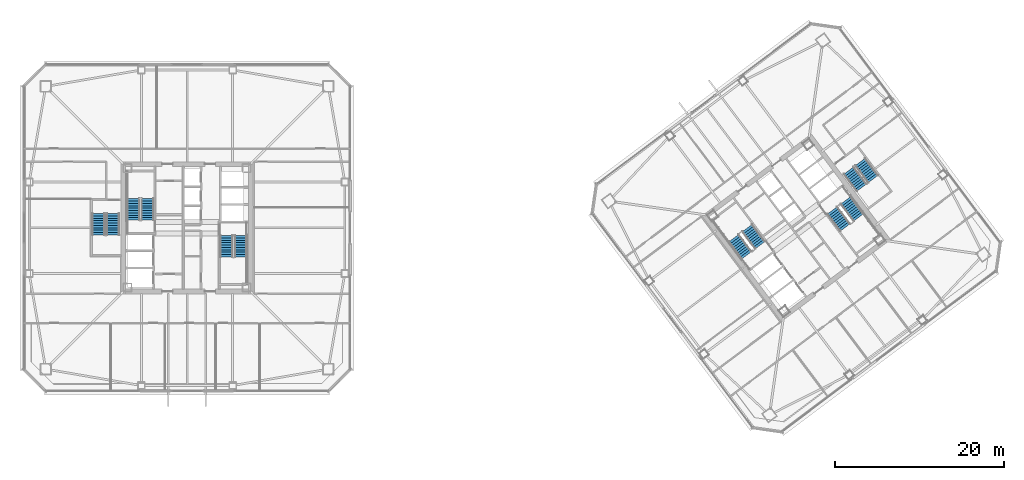
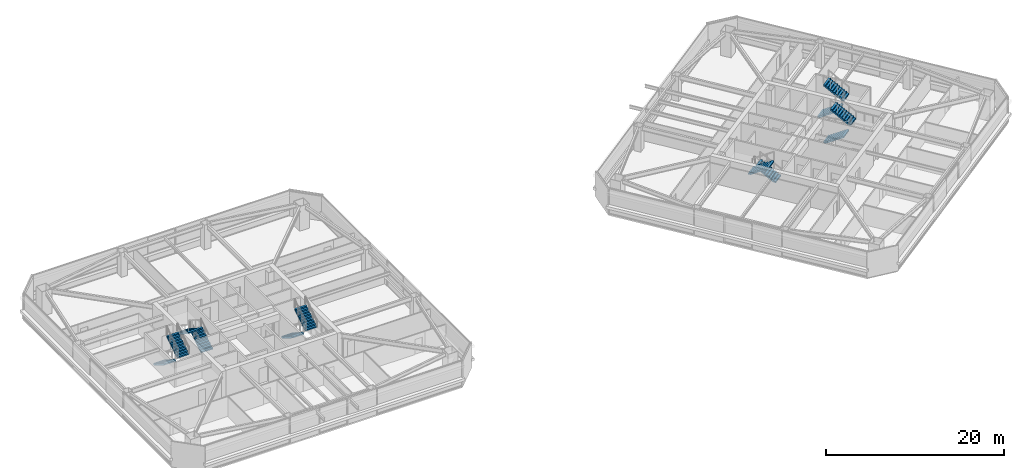
# One storey, part 36 of 42: 12 stair flights, 6 elements without a shape of their own.
"""IFC4 building model written with IfcOpenShell, lengths in metres."""

from ifc_helpers import new_model, si_unit, direction, frame, origin, place, context, subcontext, project, spatial, polyline, outline, extrude, material, type_object, element, aggregate, save


model = new_model("IFC4")

# Units and contexts
model_context = context("Model", 3, precision=1e-05, world=origin(), true_north=direction((0.0, 1.0)))
body_context = subcontext(model_context, "Body", "Model", "MODEL_VIEW")
ifc_project = project(units=[si_unit("LENGTHUNIT", "METRE"), si_unit("AREAUNIT", "SQUARE_METRE"), si_unit("VOLUMEUNIT", "CUBIC_METRE"), si_unit("PLANEANGLEUNIT", "RADIAN"), si_unit("MASSUNIT", "GRAM", prefix="KILO")], contexts=[model_context])

# Site, building, storey
site_placement = place(None, origin())
site = spatial("IfcSite", under=ifc_project, at=site_placement, CompositionType="ELEMENT")
building_placement = place(site_placement, origin())
building = spatial("IfcBuilding", under=site, at=building_placement, Name="Tashvorn Skyway Center", CompositionType="ELEMENT")
storey_placement = place(building_placement, frame((0.0, 0.0, 121.5)))
storey = spatial("IfcBuildingStorey", under=building, at=storey_placement, Name="L32", CompositionType="ELEMENT", Elevation=121.5)

# Stair, stair flights
ifc_material = material(Name="Concrete C40/50", Category="concrete")
stair_type = type_object("IfcStairType", Name="STAIR-CORE-1500", PredefinedType="HALF_TURN_STAIR", material=ifc_material)
stair_1_placement = place(storey_placement, origin())
stair_1 = element("IfcStair", 1, at=stair_1_placement, inside=storey, type_object=stair_type, Name="L32 Tower 1 Exit Stair 1", PredefinedType="HALF_TURN_STAIR")
stair_flight_type = type_object("IfcStairFlightType", Name="SFLIGHT-1500", PredefinedType="STRAIGHT", material=ifc_material)
stair_flight_1_placement = place(storey_placement, frame((37.35009765625, 32.919921875, 0.0), z_axis=(0.0, 0.0, 1.0), x_axis=(0.0, 1.0, 0.0)))
stair_flight_1 = element("IfcStairFlight", 2, at=stair_flight_1_placement, type_object=stair_flight_type, Name="ST-T1-1 flight 1", NumberOfRisers=10, NumberOfTreads=9, PredefinedType="STRAIGHT", RiserHeight=0.1775, TreadLength=0.28, context=body_context, shape_type="SweptSolid", body=[
    extrude(outline(polyline([(0.0, 0.0), (0.0, 0.177490234375), (0.280029296875, 0.177490234375), (0.280029296875, 0.35498046875), (0.56005859375, 0.35498046875), (0.56005859375, 0.532470703125), (0.840087890625, 0.532470703125), (0.840087890625, 0.7099609375), (1.1201171875, 0.7099609375), (1.1201171875, 0.887451171875), (1.39990234375, 0.887451171875), (1.39990234375, 1.06494140625), (1.679931640625, 1.06494140625), (1.679931640625, 1.242431640625), (1.9599609375, 1.242431640625), (1.9599609375, 1.419921875), (2.239990234375, 1.419921875), (2.239990234375, 1.597412109375), (2.52001953125, 1.597412109375), (2.52001953125, 1.77490234375), (2.52001953125, 1.419921875), (0.280029296875, 0.0), (0.0, 0.0)])), frame((0.0, 0.75, 0.0), z_axis=(0.0, -1.0, 0.0), x_axis=(1.0, 0.0, 0.0)), (0.0, 0.0, 1.0), 1.5),
])
stair_flight_2_placement = place(storey_placement, frame((35.64990234375, 35.43994140625, 1.77490234375), z_axis=(0.0, 0.0, 1.0), x_axis=(0.0, -1.0, 0.0)))
stair_flight_2 = element("IfcStairFlight", 3, at=stair_flight_2_placement, type_object=stair_flight_type, Name="ST-T1-1 flight 2", NumberOfRisers=10, NumberOfTreads=9, PredefinedType="STRAIGHT", RiserHeight=0.1775, TreadLength=0.28, context=body_context, shape_type="SweptSolid", body=[
    extrude(outline(polyline([(0.0, 0.0), (0.0, 0.177490234375), (0.280029296875, 0.177490234375), (0.280029296875, 0.35498046875), (0.56005859375, 0.35498046875), (0.56005859375, 0.532470703125), (0.840087890625, 0.532470703125), (0.840087890625, 0.7099609375), (1.1201171875, 0.7099609375), (1.1201171875, 0.887451171875), (1.39990234375, 0.887451171875), (1.39990234375, 1.06494140625), (1.679931640625, 1.06494140625), (1.679931640625, 1.242431640625), (1.9599609375, 1.242431640625), (1.9599609375, 1.419921875), (2.239990234375, 1.419921875), (2.239990234375, 1.597412109375), (2.52001953125, 1.597412109375), (2.52001953125, 1.77490234375), (2.52001953125, 1.419921875), (0.280029296875, 0.0), (0.0, 0.0)])), frame((0.0, 0.75, 0.0), z_axis=(0.0, -1.0, 0.0), x_axis=(1.0, 0.0, 0.0)), (0.0, 0.0, 1.0), 1.5),
])
aggregate(stair_1, [stair_flight_1, stair_flight_2])

stair_2_placement = place(storey_placement, origin())
stair_2 = element("IfcStair", 4, at=stair_2_placement, inside=storey, type_object=stair_type, Name="L32 Tower 1 Exit Stair 2", PredefinedType="HALF_TURN_STAIR")
stair_flight_3_placement = place(storey_placement, frame((46.64990234375, 31.080078125, 0.0), z_axis=(0.0, 0.0, 1.0), x_axis=(0.0, -1.0, 0.0)))
stair_flight_3 = element("IfcStairFlight", 5, at=stair_flight_3_placement, type_object=stair_flight_type, Name="ST-T1-2 flight 1", NumberOfRisers=10, NumberOfTreads=9, PredefinedType="STRAIGHT", RiserHeight=0.1775, TreadLength=0.28, context=body_context, shape_type="SweptSolid", body=[
    extrude(outline(polyline([(0.0, 0.0), (0.0, 0.177490234375), (0.280029296875, 0.177490234375), (0.280029296875, 0.35498046875), (0.56005859375, 0.35498046875), (0.56005859375, 0.532470703125), (0.840087890625, 0.532470703125), (0.840087890625, 0.7099609375), (1.1201171875, 0.7099609375), (1.1201171875, 0.887451171875), (1.39990234375, 0.887451171875), (1.39990234375, 1.06494140625), (1.679931640625, 1.06494140625), (1.679931640625, 1.242431640625), (1.9599609375, 1.242431640625), (1.9599609375, 1.419921875), (2.239990234375, 1.419921875), (2.239990234375, 1.597412109375), (2.52001953125, 1.597412109375), (2.52001953125, 1.77490234375), (2.52001953125, 1.419921875), (0.280029296875, 0.0), (0.0, 0.0)])), frame((0.0, 0.75, 0.0), z_axis=(0.0, -1.0, 0.0), x_axis=(1.0, 0.0, 0.0)), (0.0, 0.0, 1.0), 1.5),
])
stair_flight_4_placement = place(storey_placement, frame((48.35009765625, 28.56005859375, 1.77490234375), z_axis=(0.0, 0.0, 1.0), x_axis=(0.0, 1.0, 0.0)))
stair_flight_4 = element("IfcStairFlight", 6, at=stair_flight_4_placement, type_object=stair_flight_type, Name="ST-T1-2 flight 2", NumberOfRisers=10, NumberOfTreads=9, PredefinedType="STRAIGHT", RiserHeight=0.1775, TreadLength=0.28, context=body_context, shape_type="SweptSolid", body=[
    extrude(outline(polyline([(0.0, 0.0), (0.0, 0.177490234375), (0.280029296875, 0.177490234375), (0.280029296875, 0.35498046875), (0.56005859375, 0.35498046875), (0.56005859375, 0.532470703125), (0.840087890625, 0.532470703125), (0.840087890625, 0.7099609375), (1.1201171875, 0.7099609375), (1.1201171875, 0.887451171875), (1.39990234375, 0.887451171875), (1.39990234375, 1.06494140625), (1.679931640625, 1.06494140625), (1.679931640625, 1.242431640625), (1.9599609375, 1.242431640625), (1.9599609375, 1.419921875), (2.239990234375, 1.419921875), (2.239990234375, 1.597412109375), (2.52001953125, 1.597412109375), (2.52001953125, 1.77490234375), (2.52001953125, 1.419921875), (0.280029296875, 0.0), (0.0, 0.0)])), frame((0.0, 0.75, 0.0), z_axis=(0.0, -1.0, 0.0), x_axis=(1.0, 0.0, 0.0)), (0.0, 0.0, 1.0), 1.5),
])
aggregate(stair_2, [stair_flight_3, stair_flight_4])

stair_3_placement = place(storey_placement, origin())
stair_3 = element("IfcStair", 7, at=stair_3_placement, inside=storey, type_object=stair_type, Name="L32 Tower 2 Exit Stair 1", PredefinedType="HALF_TURN_STAIR")
stair_flight_5_placement = place(storey_placement, frame((109.72802734375, 29.946044921875, 0.0), z_axis=(0.0, 0.0, 1.0), x_axis=(-0.600000004945, 0.799999996291, 0.0)))
stair_flight_5 = element("IfcStairFlight", 8, at=stair_flight_5_placement, type_object=stair_flight_type, Name="ST-T2-1 flight 1", NumberOfRisers=10, NumberOfTreads=9, PredefinedType="STRAIGHT", RiserHeight=0.1775, TreadLength=0.28, context=body_context, shape_type="SweptSolid", body=[
    extrude(outline(polyline([(0.0, 0.0), (0.0, 0.177490234375), (0.280029296875, 0.177490234375), (0.280029296875, 0.35498046875), (0.56005859375, 0.35498046875), (0.56005859375, 0.532470703125), (0.840087890625, 0.532470703125), (0.840087890625, 0.7099609375), (1.1201171875, 0.7099609375), (1.1201171875, 0.887451171875), (1.39990234375, 0.887451171875), (1.39990234375, 1.06494140625), (1.679931640625, 1.06494140625), (1.679931640625, 1.242431640625), (1.9599609375, 1.242431640625), (1.9599609375, 1.419921875), (2.239990234375, 1.419921875), (2.239990234375, 1.597412109375), (2.52001953125, 1.597412109375), (2.52001953125, 1.77490234375), (2.52001953125, 1.419921875), (0.280029296875, 0.0), (0.0, 0.0)])), frame((0.0, 0.75, 0.0), z_axis=(0.0, -1.0, 0.0), x_axis=(1.0, 0.0, 0.0)), (0.0, 0.0, 1.0), 1.5),
])
stair_flight_6_placement = place(storey_placement, frame((106.632080078125, 30.77392578125, 1.77490234375), z_axis=(0.0, 0.0, 1.0), x_axis=(0.600000004945, -0.799999996291, 0.0)))
stair_flight_6 = element("IfcStairFlight", 9, at=stair_flight_6_placement, type_object=stair_flight_type, Name="ST-T2-1 flight 2", NumberOfRisers=10, NumberOfTreads=9, PredefinedType="STRAIGHT", RiserHeight=0.1775, TreadLength=0.28, context=body_context, shape_type="SweptSolid", body=[
    extrude(outline(polyline([(0.0, 0.0), (0.0, 0.177490234375), (0.280029296875, 0.177490234375), (0.280029296875, 0.35498046875), (0.56005859375, 0.35498046875), (0.56005859375, 0.532470703125), (0.840087890625, 0.532470703125), (0.840087890625, 0.7099609375), (1.1201171875, 0.7099609375), (1.1201171875, 0.887451171875), (1.39990234375, 0.887451171875), (1.39990234375, 1.06494140625), (1.679931640625, 1.06494140625), (1.679931640625, 1.242431640625), (1.9599609375, 1.242431640625), (1.9599609375, 1.419921875), (2.239990234375, 1.419921875), (2.239990234375, 1.597412109375), (2.52001953125, 1.597412109375), (2.52001953125, 1.77490234375), (2.52001953125, 1.419921875), (0.280029296875, 0.0), (0.0, 0.0)])), frame((0.0, 0.75, 0.0), z_axis=(0.0, -1.0, 0.0), x_axis=(1.0, 0.0, 0.0)), (0.0, 0.0, 1.0), 1.5),
])
aggregate(stair_3, [stair_flight_5, stair_flight_6])

stair_4_placement = place(storey_placement, origin())
stair_4 = element("IfcStair", 10, at=stair_4_placement, inside=storey, type_object=stair_type, Name="L32 Tower 2 Exit Stair 2", PredefinedType="HALF_TURN_STAIR")
stair_flight_7_placement = place(storey_placement, frame((118.27197265625, 34.053955078125, 0.0), z_axis=(0.0, 0.0, 1.0), x_axis=(0.600000004945, -0.799999996291, 0.0)))
stair_flight_7 = element("IfcStairFlight", 11, at=stair_flight_7_placement, type_object=stair_flight_type, Name="ST-T2-2 flight 1", NumberOfRisers=10, NumberOfTreads=9, PredefinedType="STRAIGHT", RiserHeight=0.1775, TreadLength=0.28, context=body_context, shape_type="SweptSolid", body=[
    extrude(outline(polyline([(0.0, 0.0), (0.0, 0.177490234375), (0.280029296875, 0.177490234375), (0.280029296875, 0.35498046875), (0.56005859375, 0.35498046875), (0.56005859375, 0.532470703125), (0.840087890625, 0.532470703125), (0.840087890625, 0.7099609375), (1.1201171875, 0.7099609375), (1.1201171875, 0.887451171875), (1.39990234375, 0.887451171875), (1.39990234375, 1.06494140625), (1.679931640625, 1.06494140625), (1.679931640625, 1.242431640625), (1.9599609375, 1.242431640625), (1.9599609375, 1.419921875), (2.239990234375, 1.419921875), (2.239990234375, 1.597412109375), (2.52001953125, 1.597412109375), (2.52001953125, 1.77490234375), (2.52001953125, 1.419921875), (0.280029296875, 0.0), (0.0, 0.0)])), frame((0.0, 0.75, 0.0), z_axis=(0.0, -1.0, 0.0), x_axis=(1.0, 0.0, 0.0)), (0.0, 0.0, 1.0), 1.5),
])
stair_flight_8_placement = place(storey_placement, frame((121.367919921875, 33.22607421875, 1.77490234375), z_axis=(0.0, 0.0, 1.0), x_axis=(-0.600000004945, 0.799999996291, 0.0)))
stair_flight_8 = element("IfcStairFlight", 12, at=stair_flight_8_placement, type_object=stair_flight_type, Name="ST-T2-2 flight 2", NumberOfRisers=10, NumberOfTreads=9, PredefinedType="STRAIGHT", RiserHeight=0.1775, TreadLength=0.28, context=body_context, shape_type="SweptSolid", body=[
    extrude(outline(polyline([(0.0, 0.0), (0.0, 0.177490234375), (0.280029296875, 0.177490234375), (0.280029296875, 0.35498046875), (0.56005859375, 0.35498046875), (0.56005859375, 0.532470703125), (0.840087890625, 0.532470703125), (0.840087890625, 0.7099609375), (1.1201171875, 0.7099609375), (1.1201171875, 0.887451171875), (1.39990234375, 0.887451171875), (1.39990234375, 1.06494140625), (1.679931640625, 1.06494140625), (1.679931640625, 1.242431640625), (1.9599609375, 1.242431640625), (1.9599609375, 1.419921875), (2.239990234375, 1.419921875), (2.239990234375, 1.597412109375), (2.52001953125, 1.597412109375), (2.52001953125, 1.77490234375), (2.52001953125, 1.419921875), (0.280029296875, 0.0), (0.0, 0.0)])), frame((0.0, 0.75, 0.0), z_axis=(0.0, -1.0, 0.0), x_axis=(1.0, 0.0, 0.0)), (0.0, 0.0, 1.0), 1.5),
])
aggregate(stair_4, [stair_flight_7, stair_flight_8])

stair_5_placement = place(storey_placement, origin())
stair_5 = element("IfcStair", 13, at=stair_5_placement, inside=storey, type_object=stair_type, Name="L32 Tower 1 Exit Stair 3", PredefinedType="HALF_TURN_STAIR")
stair_flight_9_placement = place(storey_placement, frame((31.550048828125, 33.679931640625, 0.0), z_axis=(0.0, 0.0, 1.0), x_axis=(0.0, -1.0, 0.0)))
stair_flight_9 = element("IfcStairFlight", 14, at=stair_flight_9_placement, type_object=stair_flight_type, Name="ST-T1-3 flight 1", NumberOfRisers=10, NumberOfTreads=9, PredefinedType="STRAIGHT", RiserHeight=0.1775, TreadLength=0.28, context=body_context, shape_type="SweptSolid", body=[
    extrude(outline(polyline([(0.0, 0.0), (0.0, 0.177490234375), (0.280029296875, 0.177490234375), (0.280029296875, 0.35498046875), (0.56005859375, 0.35498046875), (0.56005859375, 0.532470703125), (0.840087890625, 0.532470703125), (0.840087890625, 0.7099609375), (1.1201171875, 0.7099609375), (1.1201171875, 0.887451171875), (1.39990234375, 0.887451171875), (1.39990234375, 1.06494140625), (1.679931640625, 1.06494140625), (1.679931640625, 1.242431640625), (1.9599609375, 1.242431640625), (1.9599609375, 1.419921875), (2.239990234375, 1.419921875), (2.239990234375, 1.597412109375), (2.52001953125, 1.597412109375), (2.52001953125, 1.77490234375), (2.52001953125, 1.419921875), (0.280029296875, 0.0), (0.0, 0.0)])), frame((0.0, 0.75, 0.0), z_axis=(0.0, -1.0, 0.0), x_axis=(1.0, 0.0, 0.0)), (0.0, 0.0, 1.0), 1.5),
])
stair_flight_10_placement = place(storey_placement, frame((33.25, 31.159912109375, 1.77490234375), z_axis=(0.0, 0.0, 1.0), x_axis=(0.0, 1.0, 0.0)))
stair_flight_10 = element("IfcStairFlight", 15, at=stair_flight_10_placement, type_object=stair_flight_type, Name="ST-T1-3 flight 2", NumberOfRisers=10, NumberOfTreads=9, PredefinedType="STRAIGHT", RiserHeight=0.1775, TreadLength=0.28, context=body_context, shape_type="SweptSolid", body=[
    extrude(outline(polyline([(0.0, 0.0), (0.0, 0.177490234375), (0.280029296875, 0.177490234375), (0.280029296875, 0.35498046875), (0.56005859375, 0.35498046875), (0.56005859375, 0.532470703125), (0.840087890625, 0.532470703125), (0.840087890625, 0.7099609375), (1.1201171875, 0.7099609375), (1.1201171875, 0.887451171875), (1.39990234375, 0.887451171875), (1.39990234375, 1.06494140625), (1.679931640625, 1.06494140625), (1.679931640625, 1.242431640625), (1.9599609375, 1.242431640625), (1.9599609375, 1.419921875), (2.239990234375, 1.419921875), (2.239990234375, 1.597412109375), (2.52001953125, 1.597412109375), (2.52001953125, 1.77490234375), (2.52001953125, 1.419921875), (0.280029296875, 0.0), (0.0, 0.0)])), frame((0.0, 0.75, 0.0), z_axis=(0.0, -1.0, 0.0), x_axis=(1.0, 0.0, 0.0)), (0.0, 0.0, 1.0), 1.5),
])
aggregate(stair_5, [stair_flight_9, stair_flight_10])

stair_6_placement = place(storey_placement, origin())
stair_6 = element("IfcStair", 16, at=stair_6_placement, inside=storey, type_object=stair_type, Name="L32 Tower 2 Exit Stair 3", PredefinedType="HALF_TURN_STAIR")
stair_flight_11_placement = place(storey_placement, frame((120.216064453125, 38.761962890625, 0.0), z_axis=(0.0, 0.0, 1.0), x_axis=(0.600000004945, -0.799999996291, 0.0)))
stair_flight_11 = element("IfcStairFlight", 17, at=stair_flight_11_placement, type_object=stair_flight_type, Name="ST-T2-3 flight 1", NumberOfRisers=10, NumberOfTreads=9, PredefinedType="STRAIGHT", RiserHeight=0.1775, TreadLength=0.28, context=body_context, shape_type="SweptSolid", body=[
    extrude(outline(polyline([(0.0, 0.0), (0.0, 0.177490234375), (0.280029296875, 0.177490234375), (0.280029296875, 0.35498046875), (0.56005859375, 0.35498046875), (0.56005859375, 0.532470703125), (0.840087890625, 0.532470703125), (0.840087890625, 0.7099609375), (1.1201171875, 0.7099609375), (1.1201171875, 0.887451171875), (1.39990234375, 0.887451171875), (1.39990234375, 1.06494140625), (1.679931640625, 1.06494140625), (1.679931640625, 1.242431640625), (1.9599609375, 1.242431640625), (1.9599609375, 1.419921875), (2.239990234375, 1.419921875), (2.239990234375, 1.597412109375), (2.52001953125, 1.597412109375), (2.52001953125, 1.77490234375), (2.52001953125, 1.419921875), (0.280029296875, 0.0), (0.0, 0.0)])), frame((0.0, 0.75, 0.0), z_axis=(0.0, -1.0, 0.0), x_axis=(1.0, 0.0, 0.0)), (0.0, 0.0, 1.0), 1.5),
])
stair_flight_12_placement = place(storey_placement, frame((123.087890625, 37.76611328125, 1.77490234375), z_axis=(0.0, 0.0, 1.0), x_axis=(-0.600000004945, 0.799999996291, 0.0)))
stair_flight_12 = element("IfcStairFlight", 18, at=stair_flight_12_placement, type_object=stair_flight_type, Name="ST-T2-3 flight 2", NumberOfRisers=10, NumberOfTreads=9, PredefinedType="STRAIGHT", RiserHeight=0.1775, TreadLength=0.28, context=body_context, shape_type="SweptSolid", body=[
    extrude(outline(polyline([(0.0, 0.0), (0.0, 0.177490234375), (0.280029296875, 0.177490234375), (0.280029296875, 0.35498046875), (0.56005859375, 0.35498046875), (0.56005859375, 0.532470703125), (0.840087890625, 0.532470703125), (0.840087890625, 0.7099609375), (1.1201171875, 0.7099609375), (1.1201171875, 0.887451171875), (1.39990234375, 0.887451171875), (1.39990234375, 1.06494140625), (1.679931640625, 1.06494140625), (1.679931640625, 1.242431640625), (1.9599609375, 1.242431640625), (1.9599609375, 1.419921875), (2.239990234375, 1.419921875), (2.239990234375, 1.597412109375), (2.52001953125, 1.597412109375), (2.52001953125, 1.77490234375), (2.52001953125, 1.419921875), (0.280029296875, 0.0), (0.0, 0.0)])), frame((0.0, 0.75, 0.0), z_axis=(0.0, -1.0, 0.0), x_axis=(1.0, 0.0, 0.0)), (0.0, 0.0, 1.0), 1.5),
])
aggregate(stair_6, [stair_flight_11, stair_flight_12])

save(model, "model.ifc")
